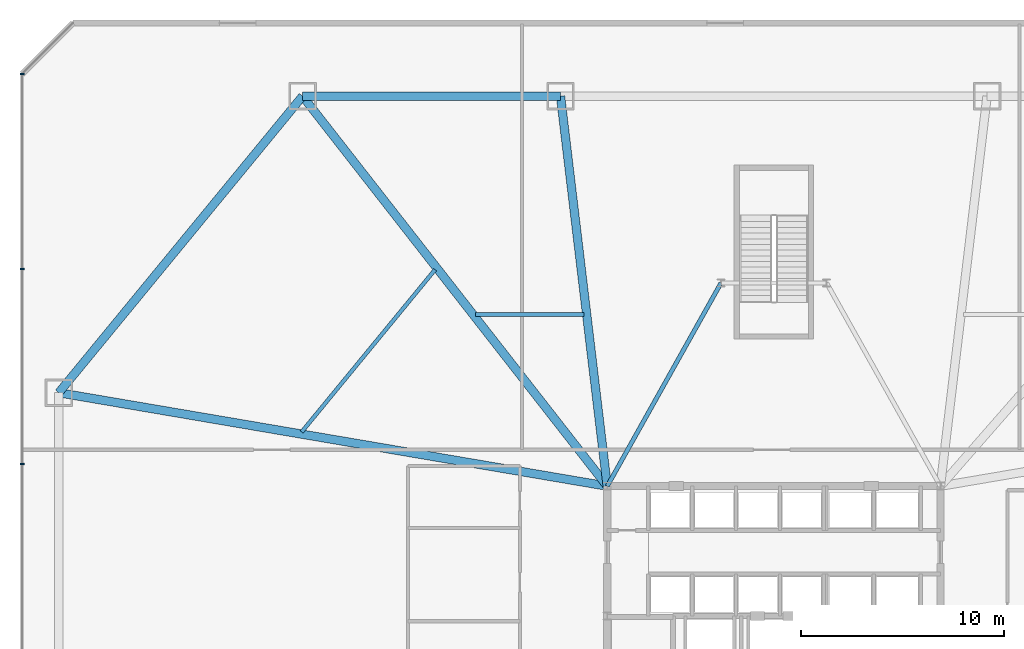
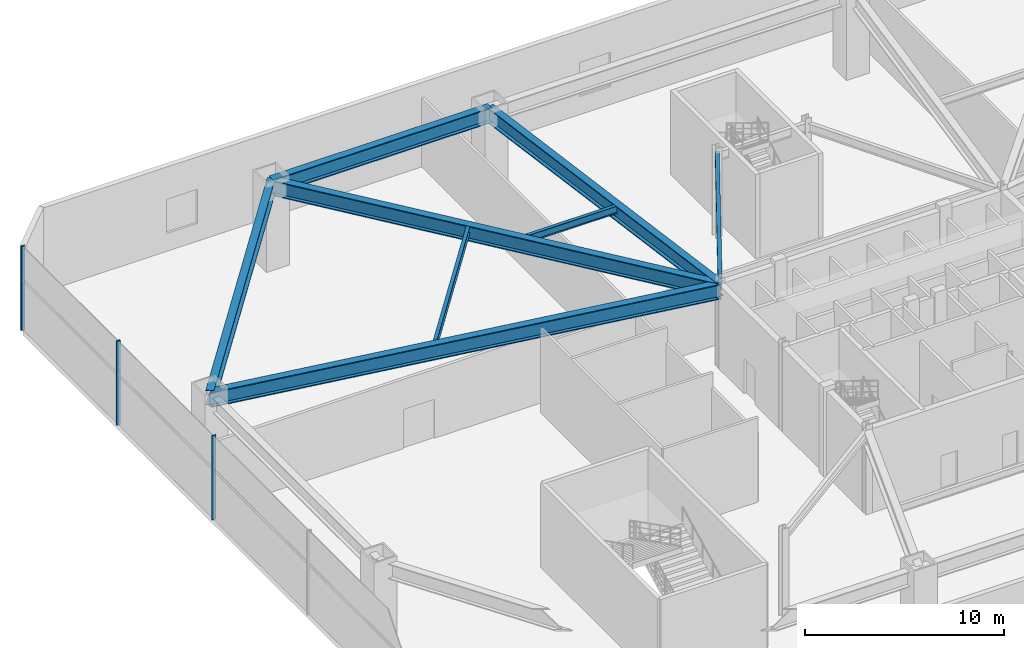
# One storey, part 7 of 20: 8 beams, 3 members, 1 element without a shape of its own.
"""IFC4 building model written with IfcOpenShell, lengths in metres."""

import ifcopenshell
import ifcopenshell.guid

model = None  # the IFC model being written
_history = None  # IfcOwnerHistory: only IFC2X3 demands one
_inside = {}  # id of a spatial element -> (the spatial element, [elements in it])
_under = {}  # id of a project, library or spatial element -> (it, [spatial elements below it])
_declared = {}  # id of a project -> (the project, [libraries it declares])
_typed = {}  # id of a type object -> (the type object, [elements of that type])
_made_of = {}  # id of a material, layer set ... -> (it, [elements and type objects made of it])


def new_model(schema):
    """Start an empty IFC model of exactly this schema.

    Asked for "IFC4X3", IfcOpenShell would pick the latest addendum, in which some entities
    have other attributes; the version numbers below select the first issue.
    IFC2X3 requires an IfcOwnerHistory on every rooted entity: one is made here for all.
    """
    global model, _history
    if schema == "IFC4X3":
        model = ifcopenshell.file(schema_version=(4, 3, 0, 0))
    else:
        model = ifcopenshell.file(schema=schema)
    _inside.clear()
    _under.clear()
    _declared.clear()
    _typed.clear()
    _made_of.clear()
    _history = None
    if model.schema == "IFC2X3":
        org = make("IfcOrganization", Name="unknown")
        user = make(
            "IfcPersonAndOrganization",
            ThePerson=make("IfcPerson", FamilyName="unknown"),
            TheOrganization=org,
        )
        app = make(
            "IfcApplication",
            ApplicationDeveloper=org,
            Version="unknown",
            ApplicationFullName="unknown",
            ApplicationIdentifier="unknown",
        )
        _history = make(
            "IfcOwnerHistory",
            OwningUser=user,
            OwningApplication=app,
            ChangeAction="ADDED",
            CreationDate=0,
        )
    return model


def make(cls, **values):
    """One entity of the class cls with the attributes given. An attribute that is None is left unset."""
    return model.create_entity(
        cls, **{name: value for name, value in values.items() if value is not None}
    )


def rooted(cls, **values):
    """An entity with a GlobalId (a new one), such as an element, a storey or a relation."""
    return make(cls, GlobalId=ifcopenshell.guid.new(), OwnerHistory=_history, **values)


def si_unit(unit_type, name, prefix=None):
    """IfcSIUnit, for example si_unit("LENGTHUNIT", "METRE", prefix="MILLI")."""
    return make("IfcSIUnit", UnitType=unit_type, Prefix=prefix, Name=name)


def assignment(units):
    """IfcUnitAssignment: the units of a project."""
    return None if units is None else make("IfcUnitAssignment", Units=units)


def point(xyz):
    """IfcCartesianPoint."""
    return None if xyz is None else make("IfcCartesianPoint", Coordinates=xyz)


def direction(xyz):
    """IfcDirection."""
    return None if xyz is None else make("IfcDirection", DirectionRatios=xyz)


def frame(location, z_axis=None, x_axis=None):
    """IfcAxis2Placement3D, a coordinate frame: its origin and axes. An axis left out is left unset."""
    return make(
        "IfcAxis2Placement3D",
        Location=point(location),
        Axis=direction(z_axis),
        RefDirection=direction(x_axis),
    )


def frame_2d(location, x_axis=None):
    """IfcAxis2Placement2D, a coordinate frame in the plane: its origin and x axis."""
    return make(
        "IfcAxis2Placement2D", Location=point(location), RefDirection=direction(x_axis)
    )


def origin():
    """The frame at (0, 0, 0) with its axes left unset."""
    return frame((0.0, 0.0, 0.0))


def origin_2d():
    """The frame at (0, 0) in the plane with its x axis left unset."""
    return frame_2d((0.0, 0.0))


def place(relative_to, where):
    """IfcLocalPlacement: puts the frame where relative to a parent placement (None: the world)."""
    return make(
        "IfcLocalPlacement", PlacementRelTo=relative_to, RelativePlacement=where
    )


def context(
    kind, dimensions, precision=None, world=None, true_north=None, identifier=None
):
    """IfcGeometricRepresentationContext, for example the 3D "Model" context."""
    return make(
        "IfcGeometricRepresentationContext",
        ContextIdentifier=identifier,
        ContextType=kind,
        CoordinateSpaceDimension=dimensions,
        Precision=precision,
        WorldCoordinateSystem=world,
        TrueNorth=true_north,
    )


def subcontext(parent, identifier, kind, view, scale=None):
    """IfcGeometricRepresentationSubContext, for example "Body" below "Model"."""
    return make(
        "IfcGeometricRepresentationSubContext",
        ContextIdentifier=identifier,
        ContextType=kind,
        ParentContext=parent,
        TargetScale=scale,
        TargetView=view,
    )


def project(units=None, contexts=None):
    """IfcProject with its units and contexts."""
    return rooted(
        "IfcProject",
        Name="project",
        RepresentationContexts=contexts,
        UnitsInContext=assignment(units),
    )


def spatial(cls, under=None, at=None, **own):
    """A site, building, storey or space (cls), placed at a placement, below another one or the project."""
    s = rooted(cls, ObjectPlacement=at, **own)
    if under is not None:
        _under.setdefault(under.id(), (under, []))[1].append(s)
    return s


def profile(cls, at=None, kind="AREA", **sizes):
    """A parametric profile (cls). Its sizes go by their IFC names, for example OverallWidth=200.0."""
    return make(cls, ProfileType=kind, Position=at, **sizes)


def rectangle(**sizes):
    """IfcRectangleProfileDef."""
    return profile("IfcRectangleProfileDef", **sizes)


def i_section(**sizes):
    """IfcIShapeProfileDef."""
    return profile("IfcIShapeProfileDef", **sizes)


def extrude(swept, where, along, depth):
    """IfcExtrudedAreaSolid: the profile swept, set in the frame where, extruded along a direction by depth."""
    return make(
        "IfcExtrudedAreaSolid",
        SweptArea=swept,
        Position=where,
        ExtrudedDirection=direction(along),
        Depth=depth,
    )


def shape(context_of_items, identifier, shape_type, items):
    """IfcShapeRepresentation: the items that make up one representation, for example the "Body"."""
    return make(
        "IfcShapeRepresentation",
        ContextOfItems=context_of_items,
        RepresentationIdentifier=identifier,
        RepresentationType=shape_type,
        Items=items,
    )


def source(mapping_origin, context_of_items, identifier, shape_type, items):
    """IfcRepresentationMap: a shape defined once, which mapped items show again and again."""
    return make(
        "IfcRepresentationMap",
        MappingOrigin=mapping_origin,
        MappedRepresentation=shape(context_of_items, identifier, shape_type, items),
    )


def transform(
    local_origin,
    x_axis=None,
    y_axis=None,
    z_axis=None,
    scale=None,
    scale2=None,
    scale3=None,
    uniform=True,
):
    """IfcCartesianTransformationOperator3D, or its non-uniform kind. x_axis, y_axis, z_axis: its Axis1, 2, 3."""
    if uniform:
        return make(
            "IfcCartesianTransformationOperator3D",
            Axis1=direction(x_axis),
            Axis2=direction(y_axis),
            LocalOrigin=point(local_origin),
            Scale=scale,
            Axis3=direction(z_axis),
        )
    return make(
        "IfcCartesianTransformationOperator3DnonUniform",
        Axis1=direction(x_axis),
        Axis2=direction(y_axis),
        LocalOrigin=point(local_origin),
        Scale=scale,
        Axis3=direction(z_axis),
        Scale2=scale2,
        Scale3=scale3,
    )


def mapped(mapping_source, mapping_target):
    """IfcMappedItem: shows the shape of a source again, moved by a transform."""
    return make(
        "IfcMappedItem", MappingSource=mapping_source, MappingTarget=mapping_target
    )


def material(Name=None, Category=None):
    """IfcMaterial."""
    return make("IfcMaterial", Name=Name, Category=Category)


def layer(
    of_material, thickness, ventilated=None, Name=None, Category=None, Priority=None
):
    """IfcMaterialLayer: one layer of a wall or slab, of a material (None: an air gap)."""
    return make(
        "IfcMaterialLayer",
        Material=of_material,
        LayerThickness=thickness,
        IsVentilated=ventilated,
        Name=Name,
        Category=Category,
        Priority=Priority,
    )


def layer_set(layers, Name=None):
    """IfcMaterialLayerSet."""
    return make("IfcMaterialLayerSet", MaterialLayers=layers, LayerSetName=Name)


def material_profile(
    of_material, cross_section, Name=None, Category=None, Priority=None
):
    """IfcMaterialProfile: a cross section and its material."""
    return make(
        "IfcMaterialProfile",
        Name=Name,
        Material=of_material,
        Profile=cross_section,
        Priority=Priority,
        Category=Category,
    )


def profile_set(profiles, Name=None, composite=None):
    """IfcMaterialProfileSet."""
    return make(
        "IfcMaterialProfileSet",
        Name=Name,
        MaterialProfiles=profiles,
        CompositeProfile=composite,
    )


def made_of(thing, what):
    """Note that an element or type object is made of a material, layer set ...; save() writes the relation."""
    if what is not None:
        _made_of.setdefault(what.id(), (what, []))[1].append(thing)
    return thing


def type_object(cls, material=None, **own):
    """A type object (cls), such as IfcWallType, which elements share."""
    return made_of(rooted(cls, **own), material)


def type_shapes(of_type, sources):
    """Give a type object the sources (RepresentationMaps) that its elements show as mapped items."""
    of_type.RepresentationMaps = sources


def element(
    cls,
    number,
    at=None,
    inside=None,
    cuts=None,
    type_object=None,
    material=None,
    context=None,
    identifier="Body",
    shape_type=None,
    held_by="IfcProductDefinitionShape",
    body=None,
    shapes=None,
    **own,
):
    """One element of the class cls, such as IfcWall. Its Tag is "e" and its number.

    at: its placement. inside: the storey or other place that contains it. cuts: it is an
    opening in that element (IfcRelVoidsElement). A single representation is given by context,
    identifier, shape_type and body (its items); several are given by shapes. held_by: the class
    of the entity that holds the representations. save() writes the other relations.
    """
    e = rooted(cls, Tag="e%d" % number, ObjectPlacement=at, **own)
    if body is not None:
        shapes = [shape(context, identifier, shape_type, body)]
    if shapes is not None:
        e.Representation = make(held_by, Representations=shapes)
    if inside is not None:
        _inside.setdefault(inside.id(), (inside, []))[1].append(e)
    if cuts is not None:
        rooted(
            "IfcRelVoidsElement", RelatingBuildingElement=cuts, RelatedOpeningElement=e
        )
    if type_object is not None:
        _typed.setdefault(type_object.id(), (type_object, []))[1].append(e)
    return made_of(e, material)


def aggregate(whole, parts):
    """IfcRelAggregates: a whole, such as a stair, and the parts it consists of."""
    return rooted("IfcRelAggregates", RelatingObject=whole, RelatedObjects=parts)


def save(model, path):
    """Write the relations noted so far, then the file.

    IfcRelAggregates (storeys below a building ...), IfcRelContainedInSpatialStructure (elements
    in a storey), IfcRelDefinesByType, IfcRelAssociatesMaterial and IfcRelDeclares: one each for
    every whole, place, type object, material and project.
    """
    for whole, parts in _under.values():
        aggregate(whole, parts)
    for where, things in _inside.values():
        rooted(
            "IfcRelContainedInSpatialStructure",
            RelatedElements=things,
            RelatingStructure=where,
        )
    for kind, things in _typed.values():
        rooted("IfcRelDefinesByType", RelatedObjects=things, RelatingType=kind)
    for what, things in _made_of.values():
        rooted("IfcRelAssociatesMaterial", RelatedObjects=things, RelatingMaterial=what)
    for by, libraries in _declared.values():
        rooted("IfcRelDeclares", RelatingContext=by, RelatedDefinitions=libraries)
    model.write(path)


model = new_model("IFC4")

# Units and contexts
model_context = context("Model", 3, precision=1e-05, world=origin(), true_north=direction((0.0, 1.0)))
body_context = subcontext(model_context, "Body", "Model", "MODEL_VIEW")
ifc_project = project(units=[si_unit("LENGTHUNIT", "METRE"), si_unit("AREAUNIT", "SQUARE_METRE"), si_unit("VOLUMEUNIT", "CUBIC_METRE"), si_unit("PLANEANGLEUNIT", "RADIAN"), si_unit("MASSUNIT", "GRAM", prefix="KILO")], contexts=[model_context])

# Site, building, storey
site_placement = place(None, origin())
site = spatial("IfcSite", under=ifc_project, at=site_placement, CompositionType="ELEMENT")
building_placement = place(site_placement, origin())
building = spatial("IfcBuilding", under=site, at=building_placement, Name="Varakhsha Concourse Tower", CompositionType="ELEMENT")
storey_placement = place(building_placement, frame((0.0, 0.0, 11.0)))
storey = spatial("IfcBuildingStorey", under=building, at=storey_placement, Name="L03", CompositionType="ELEMENT", Elevation=11.0)

# Beams
ifc_material_1 = material(Name="Structural Steel ASTM A992 Grade 50", Category="steel")
ifc_material_profile_1 = material_profile(ifc_material_1, i_section(OverallWidth=0.41796875, OverallDepth=0.927001953125, WebThickness=0.030029296875, FlangeThickness=0.051025390625, at=origin_2d()), Name="W36X231")
ifc_profile_set_1 = profile_set([ifc_material_profile_1], Name="Structural Steel ASTM A992 Grade 50")
beam_type_1 = type_object("IfcBeamType", Name="BM-HALL-W36X231", PredefinedType="USERDEFINED", material=ifc_profile_set_1)
beam_1_placement = place(storey_placement, frame((29.5, 50.39990234375, 4.716552734375), z_axis=(-1.0, 0.0, 0.0), x_axis=(0.0, -1.0, 0.0)))
element("IfcBeam", 1, at=beam_1_placement, inside=storey, type_object=beam_type_1, Name="BM-PRING-L03-09", ObjectType="GIRDER", PredefinedType="USERDEFINED", context=body_context, shape_type="SweptSolid", body=[
    extrude(i_section(OverallWidth=0.41796875, OverallDepth=0.927001953125, WebThickness=0.030029296875, FlangeThickness=0.051025390625, at=origin_2d()), origin(), (0.0, 0.0, 1.0), 12.699951171875),
])
beam_2_placement = place(storey_placement, frame((16.800048828125, 50.39990234375, 4.716552734375), z_axis=(-0.634968877859, -0.772537716976, 0.0), x_axis=(0.772537716976, -0.634968877859, 0.0)))
element("IfcBeam", 2, at=beam_2_placement, inside=storey, type_object=beam_type_1, Name="BM-PRING-L03-10", ObjectType="GIRDER", PredefinedType="USERDEFINED", context=body_context, shape_type="SweptSolid", body=[
    extrude(i_section(OverallWidth=0.41796875, OverallDepth=0.927001953125, WebThickness=0.030029296875, FlangeThickness=0.051025390625, at=origin_2d()), origin(), (0.0, 0.0, 1.0), 18.898681640625),
])
beam_3_placement = place(storey_placement, frame((31.800048828125, 31.199951171875, 4.716552734375), z_axis=(-0.118944087656, 0.992900953777, 0.0), x_axis=(-0.992900953777, -0.118944087656, 0.0)))
element("IfcBeam", 3, at=beam_3_placement, inside=storey, type_object=beam_type_1, Name="BM-PRAD-L03-09", ObjectType="GIRDER", PredefinedType="USERDEFINED", context=body_context, shape_type="SweptSolid", body=[
    extrude(i_section(OverallWidth=0.41796875, OverallDepth=0.927001953125, WebThickness=0.030029296875, FlangeThickness=0.051025390625, at=origin_2d()), origin(), (0.0, 0.0, 1.0), 19.337158203125),
])
beam_4_placement = place(storey_placement, frame((31.800048828125, 31.199951171875, 4.716552734375), z_axis=(-0.615645014223, 0.788023614153, 0.0), x_axis=(-0.788023614153, -0.615645014223, 0.0)))
element("IfcBeam", 4, at=beam_4_placement, inside=storey, type_object=beam_type_1, Name="BM-PRAD-L03-10", ObjectType="GIRDER", PredefinedType="USERDEFINED", context=body_context, shape_type="SweptSolid", body=[
    extrude(i_section(OverallWidth=0.41796875, OverallDepth=0.927001953125, WebThickness=0.030029296875, FlangeThickness=0.051025390625, at=origin_2d()), origin(), (0.0, 0.0, 1.0), 24.36474609375),
])
beam_5_placement = place(storey_placement, frame((31.800048828125, 31.199951171875, 4.716552734375), z_axis=(-0.985794867271, 0.167953802166, 0.0), x_axis=(-0.167953802166, -0.985794867271, 0.0)))
element("IfcBeam", 5, at=beam_5_placement, inside=storey, type_object=beam_type_1, Name="BM-PRAD-L03-11", ObjectType="GIRDER", PredefinedType="USERDEFINED", context=body_context, shape_type="SweptSolid", body=[
    extrude(i_section(OverallWidth=0.41796875, OverallDepth=0.927001953125, WebThickness=0.030029296875, FlangeThickness=0.051025390625, at=origin_2d()), origin(), (0.0, 0.0, 1.0), 27.38916015625),
])
ifc_material_profile_2 = material_profile(ifc_material_1, i_section(OverallWidth=0.19091796875, OverallDepth=0.45703125, WebThickness=0.009033203125, FlangeThickness=0.013916015625, at=origin_2d()), Name="W18X50")
ifc_profile_set_2 = profile_set([ifc_material_profile_2], Name="Structural Steel ASTM A992 Grade 50")
beam_type_2 = type_object("IfcBeamType", Name="BM-JST-W18X50", PredefinedType="JOIST", material=ifc_profile_set_2)
beam_6_placement = place(storey_placement, frame((30.66796875, 39.64794921875, 4.951416015625), z_axis=(-1.0, 0.0, 0.0), x_axis=(0.0, -1.0, 0.0)))
element("IfcBeam", 6, at=beam_6_placement, inside=storey, type_object=beam_type_2, Name="BM-PJST-L03-09", PredefinedType="JOIST", context=body_context, shape_type="SweptSolid", body=[
    extrude(i_section(OverallWidth=0.19091796875, OverallDepth=0.45703125, WebThickness=0.009033203125, FlangeThickness=0.013916015625, at=origin_2d()), origin(), (0.0, 0.0, 1.0), 5.347900390625),
])
beam_7_placement = place(storey_placement, frame((23.32373046875, 41.859375, 4.951416015625), z_axis=(-0.634959865375, -0.772545124483, 0.0), x_axis=(0.772545124483, -0.634959865375, 0.0)))
element("IfcBeam", 7, at=beam_7_placement, inside=storey, type_object=beam_type_2, Name="BM-PJST-L03-10", PredefinedType="JOIST", context=body_context, shape_type="SweptSolid", body=[
    extrude(i_section(OverallWidth=0.19091796875, OverallDepth=0.45703125, WebThickness=0.009033203125, FlangeThickness=0.013916015625, at=origin_2d()), origin(), (0.0, 0.0, 1.0), 10.34326171875),
])
ifc_material_profile_3 = material_profile(ifc_material_1, i_section(OverallWidth=0.2109375, OverallDepth=0.5390625, WebThickness=0.011962890625, FlangeThickness=0.01904296875, at=origin_2d()), Name="W21X73")
ifc_profile_set_3 = profile_set([ifc_material_profile_3], Name="Structural Steel ASTM A992 Grade 50")
beam_type_3 = type_object("IfcBeamType", Name="BM-RAD-W21X73", PredefinedType="BEAM", material=ifc_profile_set_3)
beam_8_placement = place(storey_placement, frame((31.800048828125, 31.199951171875, 4.910400390625), z_axis=(0.488593639205, 0.872511464526, 0.0), x_axis=(-0.872511464526, 0.488593639205, 0.0)))
element("IfcBeam", 8, at=beam_8_placement, inside=storey, type_object=beam_type_3, Name="BM-CORE-L03-NSW", PredefinedType="BEAM", context=body_context, shape_type="SweptSolid", body=[
    extrude(i_section(OverallWidth=0.2109375, OverallDepth=0.5390625, WebThickness=0.011962890625, FlangeThickness=0.01904296875, at=origin_2d()), origin(), (0.0, 0.0, 1.0), 11.461181640625),
])

# Curtain wall, members
ifc_material_2 = material(Name="Anodised Bronze Architectural Aluminium AA 6063-T6", Category="aluminium")
ifc_layer = layer(ifc_material_2, 0.239990234375, Name="CW-SYS-01")
ifc_layer_set = layer_set([ifc_layer], Name="Anodised Bronze Architectural Aluminium AA 6063-T6")
curtain_wall_type = type_object("IfcCurtainWallType", Name="CW-SYS-01", PredefinedType="NOTDEFINED", material=ifc_layer_set)
curtain_wall_placement = place(storey_placement, origin())
curtain_wall = element("IfcCurtainWall", 9, at=curtain_wall_placement, inside=storey, type_object=curtain_wall_type, Name="L03 Podium Curtain Wall 07", PredefinedType="NOTDEFINED")
ifc_material_profile_4 = material_profile(ifc_material_2, rectangle(XDim=0.074951171875, YDim=0.219970703125, at=origin_2d()), Name="CWM-220X75")
ifc_profile_set_4 = profile_set([ifc_material_profile_4], Name="Anodised Bronze Architectural Aluminium AA 6063-T6")
member_type = type_object("IfcMemberType", Name="CWM-220X75", PredefinedType="MULLION", material=ifc_profile_set_4)
shared_shape = source(origin(), body_context, "Body", "SweptSolid", [
    extrude(rectangle(XDim=0.074951171875, YDim=0.219970703125, at=origin_2d()), origin(), (0.0, 0.0, 1.0), 5.179931640625),
])
type_shapes(member_type, [shared_shape])
member_1_placement = place(storey_placement, frame((3.0, 51.5, 0.0), z_axis=(0.0, 0.0, 1.0), x_axis=(0.0, -1.0, 0.0)))
member_1 = element("IfcMember", 10, at=member_1_placement, type_object=member_type, Name="CW-POD-L03-07 Mullion 00", PredefinedType="MULLION", context=body_context, shape_type="MappedRepresentation", body=[
    mapped(shared_shape, transform((0.0, 0.0, 0.0), scale=1.0)),
])
member_2_placement = place(storey_placement, frame((3.0, 41.89990234375, 0.0), z_axis=(0.0, 0.0, 1.0), x_axis=(0.0, -1.0, 0.0)))
member_2 = element("IfcMember", 11, at=member_2_placement, type_object=member_type, Name="CW-POD-L03-07 Mullion 01", PredefinedType="MULLION", context=body_context, shape_type="MappedRepresentation", body=[
    mapped(shared_shape, transform((0.0, 0.0, 0.0), scale=1.0)),
])
member_3_placement = place(storey_placement, frame((3.0, 32.300048828125, 0.0), z_axis=(0.0, 0.0, 1.0), x_axis=(0.0, -1.0, 0.0)))
member_3 = element("IfcMember", 12, at=member_3_placement, type_object=member_type, Name="CW-POD-L03-07 Mullion 02", PredefinedType="MULLION", context=body_context, shape_type="MappedRepresentation", body=[
    mapped(shared_shape, transform((0.0, 0.0, 0.0), scale=1.0)),
])
aggregate(curtain_wall, [member_1, member_2, member_3])

save(model, "model.ifc")
